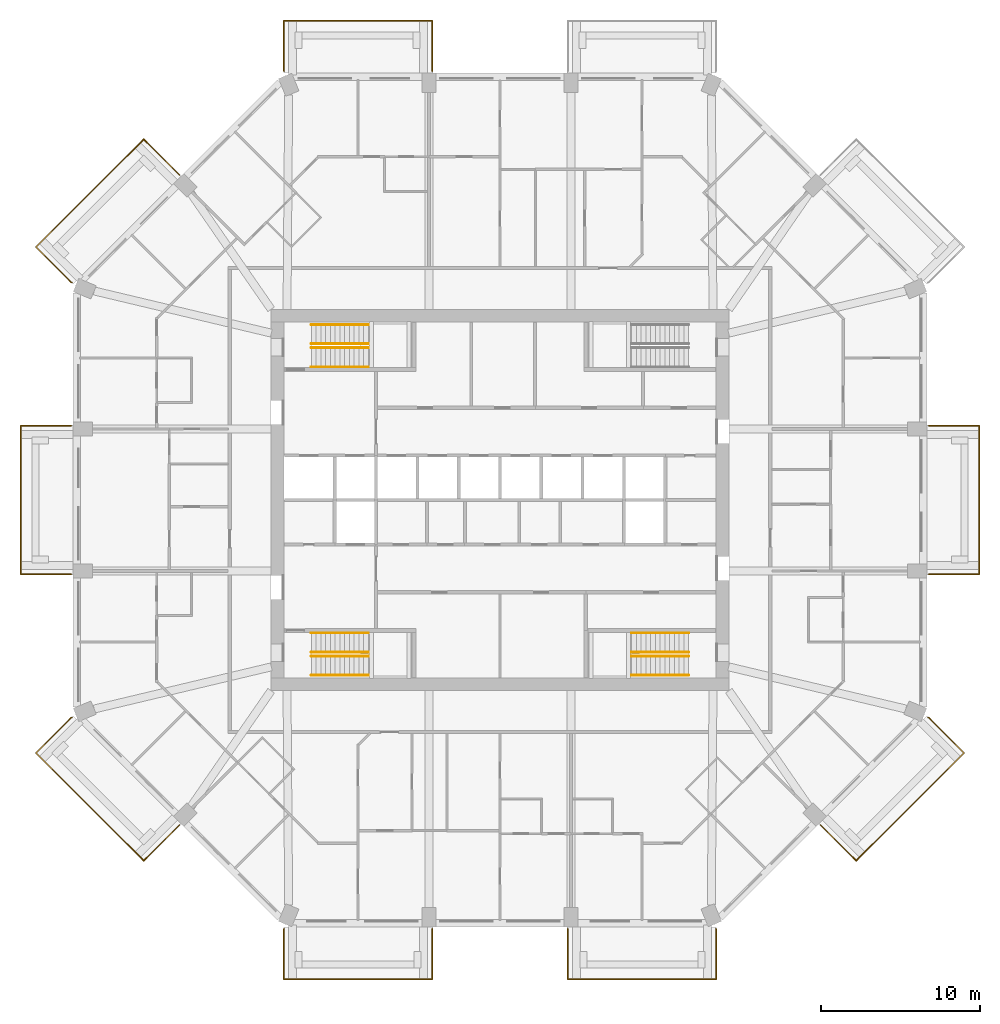
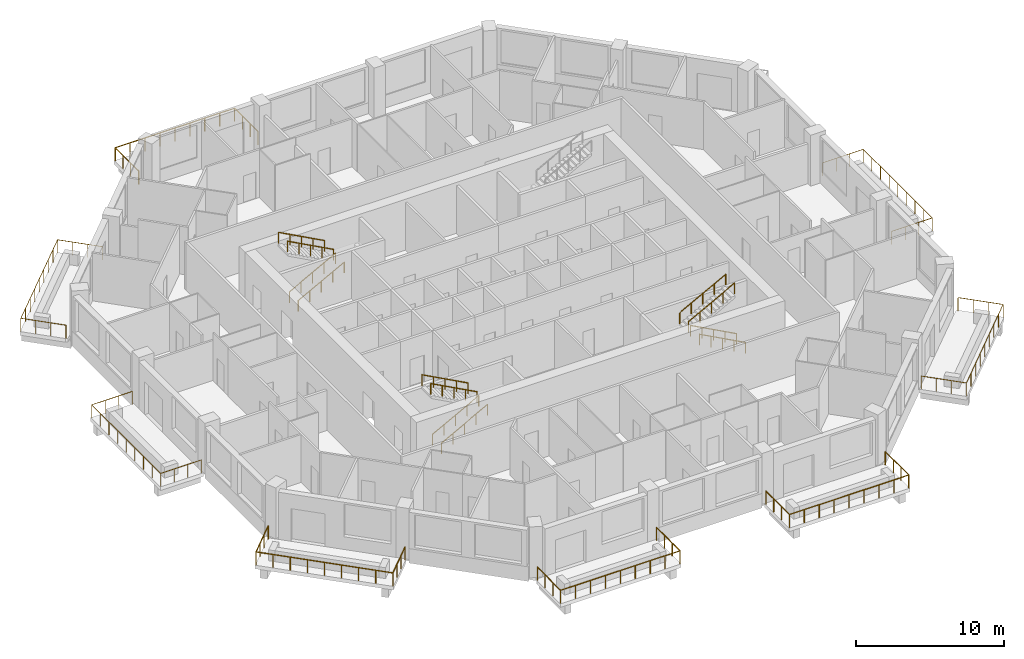
# One storey, part 12 of 13: 20 railings.
"""IFC4 building model written with IfcOpenShell, lengths in metres."""

from ifc_helpers import new_model, si_unit, direction, frame, origin, origin_2d, place, context, subcontext, project, spatial, circle, extrude, material, constituent, constituent_set, type_object, element, save


model = new_model("IFC4")

# Units and contexts
model_context = context("Model", 3, precision=1e-05, world=origin(), true_north=direction((0.0, 1.0)))
body_context = subcontext(model_context, "Body", "Model", "MODEL_VIEW")
ifc_project = project(units=[si_unit("LENGTHUNIT", "METRE"), si_unit("AREAUNIT", "SQUARE_METRE"), si_unit("VOLUMEUNIT", "CUBIC_METRE"), si_unit("PLANEANGLEUNIT", "RADIAN"), si_unit("MASSUNIT", "GRAM", prefix="KILO")], contexts=[model_context])

# Site, building, storey
site_placement = place(None, origin())
site = spatial("IfcSite", under=ifc_project, at=site_placement, CompositionType="ELEMENT")
building_placement = place(site_placement, origin())
building = spatial("IfcBuilding", under=site, at=building_placement, Name="Msitu Wima Residences", CompositionType="ELEMENT")
storey_placement = place(building_placement, frame((0.0, 0.0, 114.89990234375)))
storey = spatial("IfcBuildingStorey", under=building, at=storey_placement, Name="L26", CompositionType="ELEMENT", Elevation=114.89990234375)

# Railings
ifc_material_1 = material(Name="Steel S355", Category="steel")
ifc_constituent_1 = constituent(ifc_material_1, Name="Steel S355")
ifc_material_2 = material(Name="Weathering patina")
ifc_constituent_2 = constituent(ifc_material_2, Name="Weathering patina")
ifc_constituent_set_1 = constituent_set(constituents=[ifc_constituent_1, ifc_constituent_2], Name="Steel S355")
railing_type_1 = type_object("IfcRailingType", Name="Balcony guard GR1100", PredefinedType="GUARDRAIL", material=ifc_constituent_set_1)
railing_1_placement = place(storey_placement, frame((26.97998046875, 4.668701171875, 0.0)))
element("IfcRailing", 1, at=railing_1_placement, inside=storey, type_object=railing_type_1, Name="Balcony guard E1 L26", PredefinedType="GUARDRAIL", context=body_context, shape_type="SweptSolid", body=[
    extrude(circle(Radius=0.02392578125, at=origin_2d()), frame((0.0, 0.0, 1.076171875), z_axis=(1.0, 0.0, 0.0), x_axis=(0.0, 1.0, 0.0)), (0.0, 0.0, 1.0), 3.169921875),
    extrude(circle(Radius=0.02392578125, at=origin_2d()), frame((3.169921875, 0.0, 1.076171875), z_axis=(0.0, -1.0, 0.0), x_axis=(1.0, 0.0, 0.0)), (0.0, 0.0, 1.0), 9.33740234375),
    extrude(circle(Radius=0.02392578125, at=origin_2d()), frame((3.169921875, -9.33740234375, 1.076171875), z_axis=(-1.0, 0.0, 0.0), x_axis=(0.0, -1.0, 0.0)), (0.0, 0.0, 1.0), 3.169921875),
    extrude(circle(Radius=0.02099609375, at=origin_2d()), origin(), (0.0, 0.0, 1.0), 1.052001953125),
    extrude(circle(Radius=0.02099609375, at=origin_2d()), frame((1.056640625, 0.0, 0.0)), (0.0, 0.0, 1.0), 1.052001953125),
    extrude(circle(Radius=0.02099609375, at=origin_2d()), frame((2.11328125, 0.0, 0.0)), (0.0, 0.0, 1.0), 1.052001953125),
    extrude(circle(Radius=0.02099609375, at=origin_2d()), frame((3.169921875, 0.0, 0.0)), (0.0, 0.0, 1.0), 1.052001953125),
    extrude(circle(Radius=0.02099609375, at=origin_2d()), frame((3.169921875, -1.167236328125, 0.0)), (0.0, 0.0, 1.0), 1.052001953125),
    extrude(circle(Radius=0.02099609375, at=origin_2d()), frame((3.169921875, -2.33447265625, 0.0)), (0.0, 0.0, 1.0), 1.052001953125),
    extrude(circle(Radius=0.02099609375, at=origin_2d()), frame((3.169921875, -3.50146484375, 0.0)), (0.0, 0.0, 1.0), 1.052001953125),
    extrude(circle(Radius=0.02099609375, at=origin_2d()), frame((3.169921875, -4.668701171875, 0.0)), (0.0, 0.0, 1.0), 1.052001953125),
    extrude(circle(Radius=0.02099609375, at=origin_2d()), frame((3.169921875, -5.8359375, 0.0)), (0.0, 0.0, 1.0), 1.052001953125),
    extrude(circle(Radius=0.02099609375, at=origin_2d()), frame((3.169921875, -7.0029296875, 0.0)), (0.0, 0.0, 1.0), 1.052001953125),
    extrude(circle(Radius=0.02099609375, at=origin_2d()), frame((3.169921875, -8.170166015625, 0.0)), (0.0, 0.0, 1.0), 1.052001953125),
    extrude(circle(Radius=0.02099609375, at=origin_2d()), frame((3.169921875, -9.33740234375, 0.0)), (0.0, 0.0, 1.0), 1.052001953125),
    extrude(circle(Radius=0.02099609375, at=origin_2d()), frame((2.11328125, -9.33740234375, 0.0)), (0.0, 0.0, 1.0), 1.052001953125),
    extrude(circle(Radius=0.02099609375, at=origin_2d()), frame((1.056640625, -9.33740234375, 0.0)), (0.0, 0.0, 1.0), 1.052001953125),
    extrude(circle(Radius=0.02099609375, at=origin_2d()), frame((0.0, -9.33740234375, 0.0)), (0.0, 0.0, 1.0), 1.052001953125),
])
railing_2_placement = place(storey_placement, frame((-13.592041015625, 26.97998046875, 0.0)))
element("IfcRailing", 2, at=railing_2_placement, inside=storey, type_object=railing_type_1, Name="Balcony guard N2 L26", PredefinedType="GUARDRAIL", context=body_context, shape_type="SweptSolid", body=[
    extrude(circle(Radius=0.02392578125, at=origin_2d()), frame((0.0, 0.0, 1.076171875), z_axis=(-0.384136806859, 0.923276184907, 0.0), x_axis=(-0.923276184907, -0.384136806859, 0.0)), (0.0, 0.0, 1.0), 0.0361328125),
    extrude(circle(Radius=0.02392578125, at=origin_2d()), frame((-0.013916015625, 0.033447265625, 1.076171875), z_axis=(0.0, 1.0, 0.0), x_axis=(-1.0, 0.0, 0.0)), (0.0, 0.0, 1.0), 3.136474609375),
    extrude(circle(Radius=0.02392578125, at=origin_2d()), frame((-0.013916015625, 3.169921875, 1.076171875), z_axis=(1.0, 0.0, 0.0), x_axis=(0.0, 1.0, 0.0)), (0.0, 0.0, 1.0), 9.33740234375),
    extrude(circle(Radius=0.02392578125, at=origin_2d()), frame((9.323486328125, 3.169921875, 1.076171875), z_axis=(0.0, -1.0, 0.0), x_axis=(1.0, 0.0, 0.0)), (0.0, 0.0, 1.0), 3.169921875),
    extrude(circle(Radius=0.02099609375, at=origin_2d()), origin(), (0.0, 0.0, 1.0), 1.052001953125),
    extrude(circle(Radius=0.02099609375, at=origin_2d()), frame((-0.013916015625, 0.033447265625, 0.0)), (0.0, 0.0, 1.0), 1.052001953125),
    extrude(circle(Radius=0.02099609375, at=origin_2d()), frame((-0.013916015625, 1.078857421875, 0.0)), (0.0, 0.0, 1.0), 1.052001953125),
    extrude(circle(Radius=0.02099609375, at=origin_2d()), frame((-0.013916015625, 2.12451171875, 0.0)), (0.0, 0.0, 1.0), 1.052001953125),
    extrude(circle(Radius=0.02099609375, at=origin_2d()), frame((-0.013916015625, 3.169921875, 0.0)), (0.0, 0.0, 1.0), 1.052001953125),
    extrude(circle(Radius=0.02099609375, at=origin_2d()), frame((1.1533203125, 3.169921875, 0.0)), (0.0, 0.0, 1.0), 1.052001953125),
    extrude(circle(Radius=0.02099609375, at=origin_2d()), frame((2.3203125, 3.169921875, 0.0)), (0.0, 0.0, 1.0), 1.052001953125),
    extrude(circle(Radius=0.02099609375, at=origin_2d()), frame((3.487548828125, 3.169921875, 0.0)), (0.0, 0.0, 1.0), 1.052001953125),
    extrude(circle(Radius=0.02099609375, at=origin_2d()), frame((4.65478515625, 3.169921875, 0.0)), (0.0, 0.0, 1.0), 1.052001953125),
    extrude(circle(Radius=0.02099609375, at=origin_2d()), frame((5.822021484375, 3.169921875, 0.0)), (0.0, 0.0, 1.0), 1.052001953125),
    extrude(circle(Radius=0.02099609375, at=origin_2d()), frame((6.9892578125, 3.169921875, 0.0)), (0.0, 0.0, 1.0), 1.052001953125),
    extrude(circle(Radius=0.02099609375, at=origin_2d()), frame((8.15625, 3.169921875, 0.0)), (0.0, 0.0, 1.0), 1.052001953125),
    extrude(circle(Radius=0.02099609375, at=origin_2d()), frame((9.323486328125, 3.169921875, 0.0)), (0.0, 0.0, 1.0), 1.052001953125),
    extrude(circle(Radius=0.02099609375, at=origin_2d()), frame((9.323486328125, 2.11328125, 0.0)), (0.0, 0.0, 1.0), 1.052001953125),
    extrude(circle(Radius=0.02099609375, at=origin_2d()), frame((9.323486328125, 1.056640625, 0.0)), (0.0, 0.0, 1.0), 1.052001953125),
    extrude(circle(Radius=0.02099609375, at=origin_2d()), frame((9.323486328125, 0.0, 0.0)), (0.0, 0.0, 1.0), 1.052001953125),
])
railing_3_placement = place(storey_placement, frame((-26.941650390625, 13.684326171875, 0.0)))
element("IfcRailing", 3, at=railing_3_placement, inside=storey, type_object=railing_type_1, Name="Balcony guard NW1 L26", PredefinedType="GUARDRAIL", context=body_context, shape_type="SweptSolid", body=[
    extrude(circle(Radius=0.02392578125, at=origin_2d()), frame((0.0, 0.0, 1.076171875), z_axis=(-0.92426142649, 0.38176015442, 0.0), x_axis=(-0.38176015442, -0.92426142649, 0.0)), (0.0, 0.0, 1.0), 0.036376953125),
    extrude(circle(Radius=0.02392578125, at=origin_2d()), frame((-0.03369140625, 0.013916015625, 1.076171875), z_axis=(-0.707106781187, 0.707106781187, 0.0), x_axis=(-0.707106781187, -0.707106781187, 0.0)), (0.0, 0.0, 1.0), 3.136474609375),
    extrude(circle(Radius=0.02392578125, at=origin_2d()), frame((-2.25146484375, 2.231689453125, 1.076171875), z_axis=(0.707106781187, 0.707106781187, 0.0), x_axis=(-0.707106781187, 0.707106781187, 0.0)), (0.0, 0.0, 1.0), 9.58837890625),
    extrude(circle(Radius=0.02392578125, at=origin_2d()), frame((4.528564453125, 9.01171875, 1.076171875), z_axis=(0.707106781187, -0.707106781187, 0.0), x_axis=(0.707106781187, 0.707106781187, 0.0)), (0.0, 0.0, 1.0), 3.169921875),
    extrude(circle(Radius=0.02099609375, at=origin_2d()), origin(), (0.0, 0.0, 1.0), 1.052001953125),
    extrude(circle(Radius=0.02099609375, at=origin_2d()), frame((-0.03369140625, 0.013916015625, 0.0)), (0.0, 0.0, 1.0), 1.052001953125),
    extrude(circle(Radius=0.02099609375, at=origin_2d()), frame((-0.77294921875, 0.753173828125, 0.0)), (0.0, 0.0, 1.0), 1.052001953125),
    extrude(circle(Radius=0.02099609375, at=origin_2d()), frame((-1.51220703125, 1.492431640625, 0.0)), (0.0, 0.0, 1.0), 1.052001953125),
    extrude(circle(Radius=0.02099609375, at=origin_2d()), frame((-2.25146484375, 2.231689453125, 0.0)), (0.0, 0.0, 1.0), 1.052001953125),
    extrude(circle(Radius=0.02099609375, at=origin_2d()), frame((-1.404052734375, 3.0791015625, 0.0)), (0.0, 0.0, 1.0), 1.052001953125),
    extrude(circle(Radius=0.02099609375, at=origin_2d()), frame((-0.556396484375, 3.9267578125, 0.0)), (0.0, 0.0, 1.0), 1.052001953125),
    extrude(circle(Radius=0.02099609375, at=origin_2d()), frame((0.291015625, 4.774169921875, 0.0)), (0.0, 0.0, 1.0), 1.052001953125),
    extrude(circle(Radius=0.02099609375, at=origin_2d()), frame((1.138671875, 5.62158203125, 0.0)), (0.0, 0.0, 1.0), 1.052001953125),
    extrude(circle(Radius=0.02099609375, at=origin_2d()), frame((1.986083984375, 6.46923828125, 0.0)), (0.0, 0.0, 1.0), 1.052001953125),
    extrude(circle(Radius=0.02099609375, at=origin_2d()), frame((2.83349609375, 7.316650390625, 0.0)), (0.0, 0.0, 1.0), 1.052001953125),
    extrude(circle(Radius=0.02099609375, at=origin_2d()), frame((3.68115234375, 8.164306640625, 0.0)), (0.0, 0.0, 1.0), 1.052001953125),
    extrude(circle(Radius=0.02099609375, at=origin_2d()), frame((4.528564453125, 9.01171875, 0.0)), (0.0, 0.0, 1.0), 1.052001953125),
    extrude(circle(Radius=0.02099609375, at=origin_2d()), frame((5.275634765625, 8.2646484375, 0.0)), (0.0, 0.0, 1.0), 1.052001953125),
    extrude(circle(Radius=0.02099609375, at=origin_2d()), frame((6.02294921875, 7.517333984375, 0.0)), (0.0, 0.0, 1.0), 1.052001953125),
    extrude(circle(Radius=0.02099609375, at=origin_2d()), frame((6.77001953125, 6.770263671875, 0.0)), (0.0, 0.0, 1.0), 1.052001953125),
])
railing_4_placement = place(storey_placement, frame((-26.97998046875, -4.668701171875, 0.0)))
element("IfcRailing", 4, at=railing_4_placement, inside=storey, type_object=railing_type_1, Name="Balcony guard W1 L26", PredefinedType="GUARDRAIL", context=body_context, shape_type="SweptSolid", body=[
    extrude(circle(Radius=0.02392578125, at=origin_2d()), frame((0.0, 0.0, 1.076171875), z_axis=(-1.0, 0.0, 0.0), x_axis=(0.0, -1.0, 0.0)), (0.0, 0.0, 1.0), 3.169921875),
    extrude(circle(Radius=0.02392578125, at=origin_2d()), frame((-3.169921875, 0.0, 1.076171875), z_axis=(0.0, 1.0, 0.0), x_axis=(-1.0, 0.0, 0.0)), (0.0, 0.0, 1.0), 9.33740234375),
    extrude(circle(Radius=0.02392578125, at=origin_2d()), frame((-3.169921875, 9.33740234375, 1.076171875), z_axis=(1.0, 0.0, 0.0), x_axis=(0.0, 1.0, 0.0)), (0.0, 0.0, 1.0), 3.169921875),
    extrude(circle(Radius=0.02099609375, at=origin_2d()), origin(), (0.0, 0.0, 1.0), 1.052001953125),
    extrude(circle(Radius=0.02099609375, at=origin_2d()), frame((-1.056640625, 0.0, 0.0)), (0.0, 0.0, 1.0), 1.052001953125),
    extrude(circle(Radius=0.02099609375, at=origin_2d()), frame((-2.11328125, 0.0, 0.0)), (0.0, 0.0, 1.0), 1.052001953125),
    extrude(circle(Radius=0.02099609375, at=origin_2d()), frame((-3.169921875, 0.0, 0.0)), (0.0, 0.0, 1.0), 1.052001953125),
    extrude(circle(Radius=0.02099609375, at=origin_2d()), frame((-3.169921875, 1.167236328125, 0.0)), (0.0, 0.0, 1.0), 1.052001953125),
    extrude(circle(Radius=0.02099609375, at=origin_2d()), frame((-3.169921875, 2.33447265625, 0.0)), (0.0, 0.0, 1.0), 1.052001953125),
    extrude(circle(Radius=0.02099609375, at=origin_2d()), frame((-3.169921875, 3.50146484375, 0.0)), (0.0, 0.0, 1.0), 1.052001953125),
    extrude(circle(Radius=0.02099609375, at=origin_2d()), frame((-3.169921875, 4.668701171875, 0.0)), (0.0, 0.0, 1.0), 1.052001953125),
    extrude(circle(Radius=0.02099609375, at=origin_2d()), frame((-3.169921875, 5.8359375, 0.0)), (0.0, 0.0, 1.0), 1.052001953125),
    extrude(circle(Radius=0.02099609375, at=origin_2d()), frame((-3.169921875, 7.0029296875, 0.0)), (0.0, 0.0, 1.0), 1.052001953125),
    extrude(circle(Radius=0.02099609375, at=origin_2d()), frame((-3.169921875, 8.170166015625, 0.0)), (0.0, 0.0, 1.0), 1.052001953125),
    extrude(circle(Radius=0.02099609375, at=origin_2d()), frame((-3.169921875, 9.33740234375, 0.0)), (0.0, 0.0, 1.0), 1.052001953125),
    extrude(circle(Radius=0.02099609375, at=origin_2d()), frame((-2.11328125, 9.33740234375, 0.0)), (0.0, 0.0, 1.0), 1.052001953125),
    extrude(circle(Radius=0.02099609375, at=origin_2d()), frame((-1.056640625, 9.33740234375, 0.0)), (0.0, 0.0, 1.0), 1.052001953125),
    extrude(circle(Radius=0.02099609375, at=origin_2d()), frame((0.0, 9.33740234375, 0.0)), (0.0, 0.0, 1.0), 1.052001953125),
])
railing_5_placement = place(storey_placement, frame((-20.171630859375, -20.45458984375, 0.0)))
element("IfcRailing", 5, at=railing_5_placement, inside=storey, type_object=railing_type_1, Name="Balcony guard SW0 L26", PredefinedType="GUARDRAIL", context=body_context, shape_type="SweptSolid", body=[
    extrude(circle(Radius=0.02392578125, at=origin_2d()), frame((0.0, 0.0, 1.076171875), z_axis=(-0.707106781187, -0.707106781187, 0.0), x_axis=(0.707106781187, -0.707106781187, 0.0)), (0.0, 0.0, 1.0), 3.169921875),
    extrude(circle(Radius=0.02392578125, at=origin_2d()), frame((-2.241455078125, -2.241455078125, 1.076171875), z_axis=(-0.707106781187, 0.707106781187, 0.0), x_axis=(-0.707106781187, -0.707106781187, 0.0)), (0.0, 0.0, 1.0), 9.58837890625),
    extrude(circle(Radius=0.02392578125, at=origin_2d()), frame((-9.021484375, 4.53857421875, 1.076171875), z_axis=(0.707106781187, 0.707106781187, 0.0), x_axis=(-0.707106781187, 0.707106781187, 0.0)), (0.0, 0.0, 1.0), 3.136474609375),
    extrude(circle(Radius=0.02392578125, at=origin_2d()), frame((-6.8037109375, 6.75634765625, 1.076171875), z_axis=(0.92426142649, 0.38176015442, 0.0), x_axis=(-0.38176015442, 0.92426142649, 0.0)), (0.0, 0.0, 1.0), 0.036376953125),
    extrude(circle(Radius=0.02099609375, at=origin_2d()), origin(), (0.0, 0.0, 1.0), 1.052001953125),
    extrude(circle(Radius=0.02099609375, at=origin_2d()), frame((-0.7470703125, -0.7470703125, 0.0)), (0.0, 0.0, 1.0), 1.052001953125),
    extrude(circle(Radius=0.02099609375, at=origin_2d()), frame((-1.494384765625, -1.494384765625, 0.0)), (0.0, 0.0, 1.0), 1.052001953125),
    extrude(circle(Radius=0.02099609375, at=origin_2d()), frame((-2.241455078125, -2.241455078125, 0.0)), (0.0, 0.0, 1.0), 1.052001953125),
    extrude(circle(Radius=0.02099609375, at=origin_2d()), frame((-3.0888671875, -1.39404296875, 0.0)), (0.0, 0.0, 1.0), 1.052001953125),
    extrude(circle(Radius=0.02099609375, at=origin_2d()), frame((-3.9365234375, -0.54638671875, 0.0)), (0.0, 0.0, 1.0), 1.052001953125),
    extrude(circle(Radius=0.02099609375, at=origin_2d()), frame((-4.783935546875, 0.301025390625, 0.0)), (0.0, 0.0, 1.0), 1.052001953125),
    extrude(circle(Radius=0.02099609375, at=origin_2d()), frame((-5.63134765625, 1.1484375, 0.0)), (0.0, 0.0, 1.0), 1.052001953125),
    extrude(circle(Radius=0.02099609375, at=origin_2d()), frame((-6.47900390625, 1.99609375, 0.0)), (0.0, 0.0, 1.0), 1.052001953125),
    extrude(circle(Radius=0.02099609375, at=origin_2d()), frame((-7.326416015625, 2.843505859375, 0.0)), (0.0, 0.0, 1.0), 1.052001953125),
    extrude(circle(Radius=0.02099609375, at=origin_2d()), frame((-8.174072265625, 3.691162109375, 0.0)), (0.0, 0.0, 1.0), 1.052001953125),
    extrude(circle(Radius=0.02099609375, at=origin_2d()), frame((-9.021484375, 4.53857421875, 0.0)), (0.0, 0.0, 1.0), 1.052001953125),
    extrude(circle(Radius=0.02099609375, at=origin_2d()), frame((-8.2822265625, 5.27783203125, 0.0)), (0.0, 0.0, 1.0), 1.052001953125),
    extrude(circle(Radius=0.02099609375, at=origin_2d()), frame((-7.54296875, 6.01708984375, 0.0)), (0.0, 0.0, 1.0), 1.052001953125),
    extrude(circle(Radius=0.02099609375, at=origin_2d()), frame((-6.8037109375, 6.75634765625, 0.0)), (0.0, 0.0, 1.0), 1.052001953125),
    extrude(circle(Radius=0.02099609375, at=origin_2d()), frame((-6.77001953125, 6.770263671875, 0.0)), (0.0, 0.0, 1.0), 1.052001953125),
])
railing_6_placement = place(storey_placement, frame((-4.2685546875, -26.97998046875, 0.0)))
element("IfcRailing", 6, at=railing_6_placement, inside=storey, type_object=railing_type_1, Name="Balcony guard S0 L26", PredefinedType="GUARDRAIL", context=body_context, shape_type="SweptSolid", body=[
    extrude(circle(Radius=0.02392578125, at=origin_2d()), frame((0.0, 0.0, 1.076171875), z_axis=(0.0, -1.0, 0.0), x_axis=(1.0, 0.0, 0.0)), (0.0, 0.0, 1.0), 3.169921875),
    extrude(circle(Radius=0.02392578125, at=origin_2d()), frame((0.0, -3.169921875, 1.076171875), z_axis=(-1.0, 0.0, 0.0), x_axis=(0.0, -1.0, 0.0)), (0.0, 0.0, 1.0), 9.33740234375),
    extrude(circle(Radius=0.02392578125, at=origin_2d()), frame((-9.33740234375, -3.169921875, 1.076171875), z_axis=(0.0, 1.0, 0.0), x_axis=(-1.0, 0.0, 0.0)), (0.0, 0.0, 1.0), 3.136474609375),
    extrude(circle(Radius=0.02392578125, at=origin_2d()), frame((-9.33740234375, -0.033447265625, 1.076171875), z_axis=(0.384136806859, 0.923276184907, 0.0), x_axis=(-0.923276184907, 0.384136806859, 0.0)), (0.0, 0.0, 1.0), 0.0361328125),
    extrude(circle(Radius=0.02099609375, at=origin_2d()), origin(), (0.0, 0.0, 1.0), 1.052001953125),
    extrude(circle(Radius=0.02099609375, at=origin_2d()), frame((0.0, -1.056640625, 0.0)), (0.0, 0.0, 1.0), 1.052001953125),
    extrude(circle(Radius=0.02099609375, at=origin_2d()), frame((0.0, -2.11328125, 0.0)), (0.0, 0.0, 1.0), 1.052001953125),
    extrude(circle(Radius=0.02099609375, at=origin_2d()), frame((0.0, -3.169921875, 0.0)), (0.0, 0.0, 1.0), 1.052001953125),
    extrude(circle(Radius=0.02099609375, at=origin_2d()), frame((-1.167236328125, -3.169921875, 0.0)), (0.0, 0.0, 1.0), 1.052001953125),
    extrude(circle(Radius=0.02099609375, at=origin_2d()), frame((-2.33447265625, -3.169921875, 0.0)), (0.0, 0.0, 1.0), 1.052001953125),
    extrude(circle(Radius=0.02099609375, at=origin_2d()), frame((-3.50146484375, -3.169921875, 0.0)), (0.0, 0.0, 1.0), 1.052001953125),
    extrude(circle(Radius=0.02099609375, at=origin_2d()), frame((-4.668701171875, -3.169921875, 0.0)), (0.0, 0.0, 1.0), 1.052001953125),
    extrude(circle(Radius=0.02099609375, at=origin_2d()), frame((-5.8359375, -3.169921875, 0.0)), (0.0, 0.0, 1.0), 1.052001953125),
    extrude(circle(Radius=0.02099609375, at=origin_2d()), frame((-7.0029296875, -3.169921875, 0.0)), (0.0, 0.0, 1.0), 1.052001953125),
    extrude(circle(Radius=0.02099609375, at=origin_2d()), frame((-8.170166015625, -3.169921875, 0.0)), (0.0, 0.0, 1.0), 1.052001953125),
    extrude(circle(Radius=0.02099609375, at=origin_2d()), frame((-9.33740234375, -3.169921875, 0.0)), (0.0, 0.0, 1.0), 1.052001953125),
    extrude(circle(Radius=0.02099609375, at=origin_2d()), frame((-9.33740234375, -2.12451171875, 0.0)), (0.0, 0.0, 1.0), 1.052001953125),
    extrude(circle(Radius=0.02099609375, at=origin_2d()), frame((-9.33740234375, -1.078857421875, 0.0)), (0.0, 0.0, 1.0), 1.052001953125),
    extrude(circle(Radius=0.02099609375, at=origin_2d()), frame((-9.33740234375, -0.033447265625, 0.0)), (0.0, 0.0, 1.0), 1.052001953125),
    extrude(circle(Radius=0.02099609375, at=origin_2d()), frame((-9.323486328125, 0.0, 0.0)), (0.0, 0.0, 1.0), 1.052001953125),
])
railing_7_placement = place(storey_placement, frame((13.592041015625, -26.97998046875, 0.0)))
element("IfcRailing", 7, at=railing_7_placement, inside=storey, type_object=railing_type_1, Name="Balcony guard S2 L26", PredefinedType="GUARDRAIL", context=body_context, shape_type="SweptSolid", body=[
    extrude(circle(Radius=0.02392578125, at=origin_2d()), frame((0.0, 0.0, 1.076171875), z_axis=(0.384136806859, -0.923276184907, 0.0), x_axis=(0.923276184907, 0.384136806859, 0.0)), (0.0, 0.0, 1.0), 0.0361328125),
    extrude(circle(Radius=0.02392578125, at=origin_2d()), frame((0.013916015625, -0.033447265625, 1.076171875), z_axis=(0.0, -1.0, 0.0), x_axis=(1.0, 0.0, 0.0)), (0.0, 0.0, 1.0), 3.136474609375),
    extrude(circle(Radius=0.02392578125, at=origin_2d()), frame((0.013916015625, -3.169921875, 1.076171875), z_axis=(-1.0, 0.0, 0.0), x_axis=(0.0, -1.0, 0.0)), (0.0, 0.0, 1.0), 9.33740234375),
    extrude(circle(Radius=0.02392578125, at=origin_2d()), frame((-9.323486328125, -3.169921875, 1.076171875), z_axis=(0.0, 1.0, 0.0), x_axis=(-1.0, 0.0, 0.0)), (0.0, 0.0, 1.0), 3.169921875),
    extrude(circle(Radius=0.02099609375, at=origin_2d()), origin(), (0.0, 0.0, 1.0), 1.052001953125),
    extrude(circle(Radius=0.02099609375, at=origin_2d()), frame((0.013916015625, -0.033447265625, 0.0)), (0.0, 0.0, 1.0), 1.052001953125),
    extrude(circle(Radius=0.02099609375, at=origin_2d()), frame((0.013916015625, -1.078857421875, 0.0)), (0.0, 0.0, 1.0), 1.052001953125),
    extrude(circle(Radius=0.02099609375, at=origin_2d()), frame((0.013916015625, -2.12451171875, 0.0)), (0.0, 0.0, 1.0), 1.052001953125),
    extrude(circle(Radius=0.02099609375, at=origin_2d()), frame((0.013916015625, -3.169921875, 0.0)), (0.0, 0.0, 1.0), 1.052001953125),
    extrude(circle(Radius=0.02099609375, at=origin_2d()), frame((-1.1533203125, -3.169921875, 0.0)), (0.0, 0.0, 1.0), 1.052001953125),
    extrude(circle(Radius=0.02099609375, at=origin_2d()), frame((-2.3203125, -3.169921875, 0.0)), (0.0, 0.0, 1.0), 1.052001953125),
    extrude(circle(Radius=0.02099609375, at=origin_2d()), frame((-3.487548828125, -3.169921875, 0.0)), (0.0, 0.0, 1.0), 1.052001953125),
    extrude(circle(Radius=0.02099609375, at=origin_2d()), frame((-4.65478515625, -3.169921875, 0.0)), (0.0, 0.0, 1.0), 1.052001953125),
    extrude(circle(Radius=0.02099609375, at=origin_2d()), frame((-5.822021484375, -3.169921875, 0.0)), (0.0, 0.0, 1.0), 1.052001953125),
    extrude(circle(Radius=0.02099609375, at=origin_2d()), frame((-6.9892578125, -3.169921875, 0.0)), (0.0, 0.0, 1.0), 1.052001953125),
    extrude(circle(Radius=0.02099609375, at=origin_2d()), frame((-8.15625, -3.169921875, 0.0)), (0.0, 0.0, 1.0), 1.052001953125),
    extrude(circle(Radius=0.02099609375, at=origin_2d()), frame((-9.323486328125, -3.169921875, 0.0)), (0.0, 0.0, 1.0), 1.052001953125),
    extrude(circle(Radius=0.02099609375, at=origin_2d()), frame((-9.323486328125, -2.11328125, 0.0)), (0.0, 0.0, 1.0), 1.052001953125),
    extrude(circle(Radius=0.02099609375, at=origin_2d()), frame((-9.323486328125, -1.056640625, 0.0)), (0.0, 0.0, 1.0), 1.052001953125),
    extrude(circle(Radius=0.02099609375, at=origin_2d()), frame((-9.323486328125, 0.0, 0.0)), (0.0, 0.0, 1.0), 1.052001953125),
])
railing_8_placement = place(storey_placement, frame((26.941650390625, -13.684326171875, 0.0)))
element("IfcRailing", 8, at=railing_8_placement, inside=storey, type_object=railing_type_1, Name="Balcony guard SE1 L26", PredefinedType="GUARDRAIL", context=body_context, shape_type="SweptSolid", body=[
    extrude(circle(Radius=0.02392578125, at=origin_2d()), frame((0.0, 0.0, 1.076171875), z_axis=(0.92426142649, -0.38176015442, 0.0), x_axis=(0.38176015442, 0.92426142649, 0.0)), (0.0, 0.0, 1.0), 0.036376953125),
    extrude(circle(Radius=0.02392578125, at=origin_2d()), frame((0.03369140625, -0.013916015625, 1.076171875), z_axis=(0.707106781187, -0.707106781187, 0.0), x_axis=(0.707106781187, 0.707106781187, 0.0)), (0.0, 0.0, 1.0), 3.136474609375),
    extrude(circle(Radius=0.02392578125, at=origin_2d()), frame((2.25146484375, -2.231689453125, 1.076171875), z_axis=(-0.707106781187, -0.707106781187, 0.0), x_axis=(0.707106781187, -0.707106781187, 0.0)), (0.0, 0.0, 1.0), 9.58837890625),
    extrude(circle(Radius=0.02392578125, at=origin_2d()), frame((-4.528564453125, -9.01171875, 1.076171875), z_axis=(-0.707106781187, 0.707106781187, 0.0), x_axis=(-0.707106781187, -0.707106781187, 0.0)), (0.0, 0.0, 1.0), 3.169921875),
    extrude(circle(Radius=0.02099609375, at=origin_2d()), origin(), (0.0, 0.0, 1.0), 1.052001953125),
    extrude(circle(Radius=0.02099609375, at=origin_2d()), frame((0.03369140625, -0.013916015625, 0.0)), (0.0, 0.0, 1.0), 1.052001953125),
    extrude(circle(Radius=0.02099609375, at=origin_2d()), frame((0.77294921875, -0.753173828125, 0.0)), (0.0, 0.0, 1.0), 1.052001953125),
    extrude(circle(Radius=0.02099609375, at=origin_2d()), frame((1.51220703125, -1.492431640625, 0.0)), (0.0, 0.0, 1.0), 1.052001953125),
    extrude(circle(Radius=0.02099609375, at=origin_2d()), frame((2.25146484375, -2.231689453125, 0.0)), (0.0, 0.0, 1.0), 1.052001953125),
    extrude(circle(Radius=0.02099609375, at=origin_2d()), frame((1.404052734375, -3.0791015625, 0.0)), (0.0, 0.0, 1.0), 1.052001953125),
    extrude(circle(Radius=0.02099609375, at=origin_2d()), frame((0.556396484375, -3.9267578125, 0.0)), (0.0, 0.0, 1.0), 1.052001953125),
    extrude(circle(Radius=0.02099609375, at=origin_2d()), frame((-0.291015625, -4.774169921875, 0.0)), (0.0, 0.0, 1.0), 1.052001953125),
    extrude(circle(Radius=0.02099609375, at=origin_2d()), frame((-1.138671875, -5.62158203125, 0.0)), (0.0, 0.0, 1.0), 1.052001953125),
    extrude(circle(Radius=0.02099609375, at=origin_2d()), frame((-1.986083984375, -6.46923828125, 0.0)), (0.0, 0.0, 1.0), 1.052001953125),
    extrude(circle(Radius=0.02099609375, at=origin_2d()), frame((-2.83349609375, -7.316650390625, 0.0)), (0.0, 0.0, 1.0), 1.052001953125),
    extrude(circle(Radius=0.02099609375, at=origin_2d()), frame((-3.68115234375, -8.164306640625, 0.0)), (0.0, 0.0, 1.0), 1.052001953125),
    extrude(circle(Radius=0.02099609375, at=origin_2d()), frame((-4.528564453125, -9.01171875, 0.0)), (0.0, 0.0, 1.0), 1.052001953125),
    extrude(circle(Radius=0.02099609375, at=origin_2d()), frame((-5.275634765625, -8.2646484375, 0.0)), (0.0, 0.0, 1.0), 1.052001953125),
    extrude(circle(Radius=0.02099609375, at=origin_2d()), frame((-6.02294921875, -7.517333984375, 0.0)), (0.0, 0.0, 1.0), 1.052001953125),
    extrude(circle(Radius=0.02099609375, at=origin_2d()), frame((-6.77001953125, -6.770263671875, 0.0)), (0.0, 0.0, 1.0), 1.052001953125),
])
ifc_constituent_3 = constituent(ifc_material_1, Name="Steel S355")
ifc_material_3 = material(Name="Black powder coating")
ifc_constituent_4 = constituent(ifc_material_3, Name="Black powder coating")
ifc_constituent_set_2 = constituent_set(constituents=[ifc_constituent_3, ifc_constituent_4], Name="Steel S355")
railing_type_2 = type_object("IfcRailingType", Name="Stair handrail HR1", PredefinedType="HANDRAIL", material=ifc_constituent_set_2)
for number, where, name in (
    (9, (-11.875, 8.375, 0.16162109375), "Stair 1 handrail"),
    (10, (-11.875, 9.574951171875, 0.16162109375), "Stair 1 handrail"),
):
    element("IfcRailing", number, at=place(storey_placement, frame(where)), inside=storey, type_object=railing_type_2, Name=name, PredefinedType="HANDRAIL", context=body_context, shape_type="SweptSolid", body=[
        extrude(circle(Radius=0.02392578125, at=origin_2d()), frame((0.0, 0.0, 0.8759765625), z_axis=(0.880474934443, 0.0, 0.474092701714), x_axis=(0.0, 1.0, 0.0)), (0.0, 0.0, 1.0), 4.0888671875),
        extrude(circle(Radius=0.02099609375, at=origin_2d()), origin(), (0.0, 0.0, 1.0), 0.851806640625),
        extrude(circle(Radius=0.02099609375, at=origin_2d()), frame((0.89990234375, 0.0, 0.484619140625)), (0.0, 0.0, 1.0), 0.851806640625),
        extrude(circle(Radius=0.02099609375, at=origin_2d()), frame((1.800048828125, 0.0, 0.96923828125)), (0.0, 0.0, 1.0), 0.851806640625),
        extrude(circle(Radius=0.02099609375, at=origin_2d()), frame((2.7001953125, 0.0, 1.453857421875)), (0.0, 0.0, 1.0), 0.851806640625),
        extrude(circle(Radius=0.02099609375, at=origin_2d()), frame((3.60009765625, 0.0, 1.9384765625)), (0.0, 0.0, 1.0), 0.851806640625),
    ])
for number, where, name in (
    (11, (-8.27490234375, 9.824951171875, 2.26171875), "Stair 1 handrail"),
    (12, (-8.27490234375, 11.02490234375, 2.26171875), "Stair 1 handrail"),
):
    element("IfcRailing", number, at=place(storey_placement, frame(where)), inside=storey, type_object=railing_type_2, Name=name, PredefinedType="HANDRAIL", context=body_context, shape_type="SweptSolid", body=[
        extrude(circle(Radius=0.02392578125, at=origin_2d()), frame((0.0, 0.0, 0.8759765625), z_axis=(-0.880474934443, 0.0, 0.474092701714), x_axis=(0.0, -1.0, 0.0)), (0.0, 0.0, 1.0), 4.0888671875),
        extrude(circle(Radius=0.02099609375, at=origin_2d()), origin(), (0.0, 0.0, 1.0), 0.851806640625),
        extrude(circle(Radius=0.02099609375, at=origin_2d()), frame((-0.89990234375, 0.0, 0.484619140625)), (0.0, 0.0, 1.0), 0.851806640625),
        extrude(circle(Radius=0.02099609375, at=origin_2d()), frame((-1.800048828125, 0.0, 0.96923828125)), (0.0, 0.0, 1.0), 0.851806640625),
        extrude(circle(Radius=0.02099609375, at=origin_2d()), frame((-2.7001953125, 0.0, 1.453857421875)), (0.0, 0.0, 1.0), 0.851806640625),
        extrude(circle(Radius=0.02099609375, at=origin_2d()), frame((-3.60009765625, 0.0, 1.9384765625)), (0.0, 0.0, 1.0), 0.851806640625),
    ])
for number, where, name in (
    (13, (-11.875, -11.02490234375, 0.16162109375), "Stair 2 handrail"),
    (14, (-11.875, -9.824951171875, 0.16162109375), "Stair 2 handrail"),
):
    element("IfcRailing", number, at=place(storey_placement, frame(where)), inside=storey, type_object=railing_type_2, Name=name, PredefinedType="HANDRAIL", context=body_context, shape_type="SweptSolid", body=[
        extrude(circle(Radius=0.02392578125, at=origin_2d()), frame((0.0, 0.0, 0.8759765625), z_axis=(0.880474934443, 0.0, 0.474092701714), x_axis=(0.0, 1.0, 0.0)), (0.0, 0.0, 1.0), 4.0888671875),
        extrude(circle(Radius=0.02099609375, at=origin_2d()), origin(), (0.0, 0.0, 1.0), 0.851806640625),
        extrude(circle(Radius=0.02099609375, at=origin_2d()), frame((0.89990234375, 0.0, 0.484619140625)), (0.0, 0.0, 1.0), 0.851806640625),
        extrude(circle(Radius=0.02099609375, at=origin_2d()), frame((1.800048828125, 0.0, 0.96923828125)), (0.0, 0.0, 1.0), 0.851806640625),
        extrude(circle(Radius=0.02099609375, at=origin_2d()), frame((2.7001953125, 0.0, 1.453857421875)), (0.0, 0.0, 1.0), 0.851806640625),
        extrude(circle(Radius=0.02099609375, at=origin_2d()), frame((3.60009765625, 0.0, 1.9384765625)), (0.0, 0.0, 1.0), 0.851806640625),
    ])
for number, where, name in (
    (15, (-8.27490234375, -9.574951171875, 2.26171875), "Stair 2 handrail"),
    (16, (-8.27490234375, -8.375, 2.26171875), "Stair 2 handrail"),
    (17, (11.875, -11.02490234375, 0.16162109375), "Stair 4 handrail"),
    (18, (11.875, -9.824951171875, 0.16162109375), "Stair 4 handrail"),
):
    element("IfcRailing", number, at=place(storey_placement, frame(where)), inside=storey, type_object=railing_type_2, Name=name, PredefinedType="HANDRAIL", context=body_context, shape_type="SweptSolid", body=[
        extrude(circle(Radius=0.02392578125, at=origin_2d()), frame((0.0, 0.0, 0.8759765625), z_axis=(-0.880474934443, 0.0, 0.474092701714), x_axis=(0.0, -1.0, 0.0)), (0.0, 0.0, 1.0), 4.0888671875),
        extrude(circle(Radius=0.02099609375, at=origin_2d()), origin(), (0.0, 0.0, 1.0), 0.851806640625),
        extrude(circle(Radius=0.02099609375, at=origin_2d()), frame((-0.89990234375, 0.0, 0.484619140625)), (0.0, 0.0, 1.0), 0.851806640625),
        extrude(circle(Radius=0.02099609375, at=origin_2d()), frame((-1.800048828125, 0.0, 0.96923828125)), (0.0, 0.0, 1.0), 0.851806640625),
        extrude(circle(Radius=0.02099609375, at=origin_2d()), frame((-2.7001953125, 0.0, 1.453857421875)), (0.0, 0.0, 1.0), 0.851806640625),
        extrude(circle(Radius=0.02099609375, at=origin_2d()), frame((-3.60009765625, 0.0, 1.9384765625)), (0.0, 0.0, 1.0), 0.851806640625),
    ])
for number, where, name in (
    (19, (8.27490234375, -9.574951171875, 2.26171875), "Stair 4 handrail"),
    (20, (8.27490234375, -8.375, 2.26171875), "Stair 4 handrail"),
):
    element("IfcRailing", number, at=place(storey_placement, frame(where)), inside=storey, type_object=railing_type_2, Name=name, PredefinedType="HANDRAIL", context=body_context, shape_type="SweptSolid", body=[
        extrude(circle(Radius=0.02392578125, at=origin_2d()), frame((0.0, 0.0, 0.8759765625), z_axis=(0.880474934443, 0.0, 0.474092701714), x_axis=(0.0, 1.0, 0.0)), (0.0, 0.0, 1.0), 4.0888671875),
        extrude(circle(Radius=0.02099609375, at=origin_2d()), origin(), (0.0, 0.0, 1.0), 0.851806640625),
        extrude(circle(Radius=0.02099609375, at=origin_2d()), frame((0.89990234375, 0.0, 0.484619140625)), (0.0, 0.0, 1.0), 0.851806640625),
        extrude(circle(Radius=0.02099609375, at=origin_2d()), frame((1.800048828125, 0.0, 0.96923828125)), (0.0, 0.0, 1.0), 0.851806640625),
        extrude(circle(Radius=0.02099609375, at=origin_2d()), frame((2.7001953125, 0.0, 1.453857421875)), (0.0, 0.0, 1.0), 0.851806640625),
        extrude(circle(Radius=0.02099609375, at=origin_2d()), frame((3.60009765625, 0.0, 1.9384765625)), (0.0, 0.0, 1.0), 0.851806640625),
    ])

save(model, "model.ifc")
